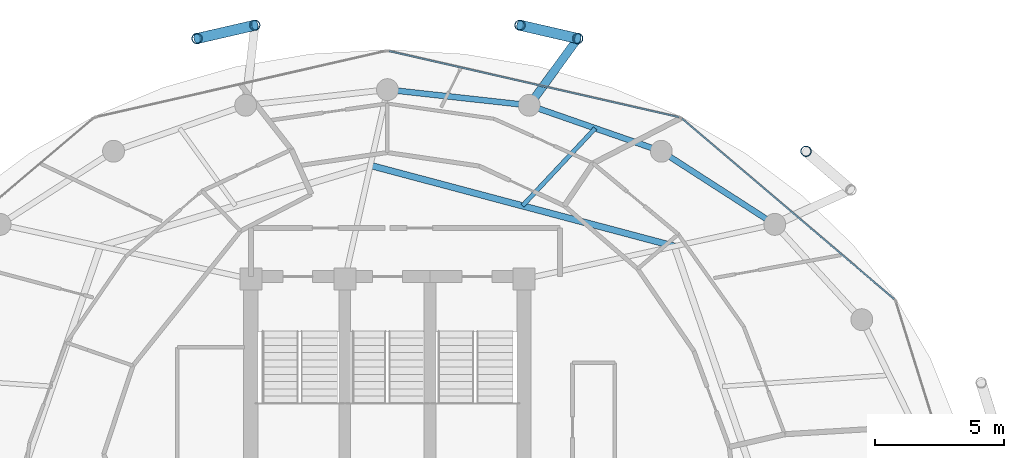
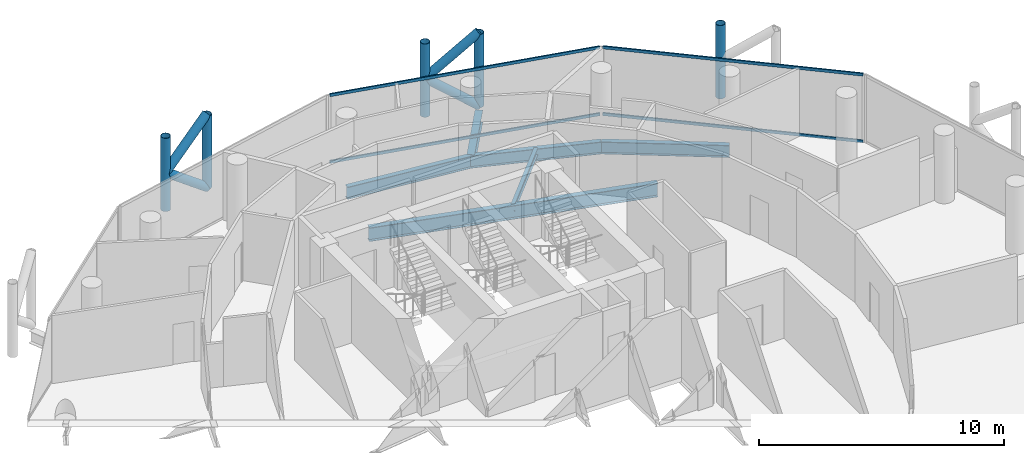
# One storey, part 20 of 27: 13 members, 6 beams, 2 elements without a shape of their own.
"""IFC4 building model written with IfcOpenShell, lengths in metres."""

import ifcopenshell
import ifcopenshell.guid

model = None  # the IFC model being written
_history = None  # IfcOwnerHistory: only IFC2X3 demands one
_inside = {}  # id of a spatial element -> (the spatial element, [elements in it])
_under = {}  # id of a project, library or spatial element -> (it, [spatial elements below it])
_declared = {}  # id of a project -> (the project, [libraries it declares])
_typed = {}  # id of a type object -> (the type object, [elements of that type])
_made_of = {}  # id of a material, layer set ... -> (it, [elements and type objects made of it])


def new_model(schema):
    """Start an empty IFC model of exactly this schema.

    Asked for "IFC4X3", IfcOpenShell would pick the latest addendum, in which some entities
    have other attributes; the version numbers below select the first issue.
    IFC2X3 requires an IfcOwnerHistory on every rooted entity: one is made here for all.
    """
    global model, _history
    if schema == "IFC4X3":
        model = ifcopenshell.file(schema_version=(4, 3, 0, 0))
    else:
        model = ifcopenshell.file(schema=schema)
    _inside.clear()
    _under.clear()
    _declared.clear()
    _typed.clear()
    _made_of.clear()
    _history = None
    if model.schema == "IFC2X3":
        org = make("IfcOrganization", Name="unknown")
        user = make(
            "IfcPersonAndOrganization",
            ThePerson=make("IfcPerson", FamilyName="unknown"),
            TheOrganization=org,
        )
        app = make(
            "IfcApplication",
            ApplicationDeveloper=org,
            Version="unknown",
            ApplicationFullName="unknown",
            ApplicationIdentifier="unknown",
        )
        _history = make(
            "IfcOwnerHistory",
            OwningUser=user,
            OwningApplication=app,
            ChangeAction="ADDED",
            CreationDate=0,
        )
    return model


def make(cls, **values):
    """One entity of the class cls with the attributes given. An attribute that is None is left unset."""
    return model.create_entity(
        cls, **{name: value for name, value in values.items() if value is not None}
    )


def rooted(cls, **values):
    """An entity with a GlobalId (a new one), such as an element, a storey or a relation."""
    return make(cls, GlobalId=ifcopenshell.guid.new(), OwnerHistory=_history, **values)


def si_unit(unit_type, name, prefix=None):
    """IfcSIUnit, for example si_unit("LENGTHUNIT", "METRE", prefix="MILLI")."""
    return make("IfcSIUnit", UnitType=unit_type, Prefix=prefix, Name=name)


def assignment(units):
    """IfcUnitAssignment: the units of a project."""
    return None if units is None else make("IfcUnitAssignment", Units=units)


def point(xyz):
    """IfcCartesianPoint."""
    return None if xyz is None else make("IfcCartesianPoint", Coordinates=xyz)


def direction(xyz):
    """IfcDirection."""
    return None if xyz is None else make("IfcDirection", DirectionRatios=xyz)


def frame(location, z_axis=None, x_axis=None):
    """IfcAxis2Placement3D, a coordinate frame: its origin and axes. An axis left out is left unset."""
    return make(
        "IfcAxis2Placement3D",
        Location=point(location),
        Axis=direction(z_axis),
        RefDirection=direction(x_axis),
    )


def frame_2d(location, x_axis=None):
    """IfcAxis2Placement2D, a coordinate frame in the plane: its origin and x axis."""
    return make(
        "IfcAxis2Placement2D", Location=point(location), RefDirection=direction(x_axis)
    )


def origin():
    """The frame at (0, 0, 0) with its axes left unset."""
    return frame((0.0, 0.0, 0.0))


def origin_2d():
    """The frame at (0, 0) in the plane with its x axis left unset."""
    return frame_2d((0.0, 0.0))


def place(relative_to, where):
    """IfcLocalPlacement: puts the frame where relative to a parent placement (None: the world)."""
    return make(
        "IfcLocalPlacement", PlacementRelTo=relative_to, RelativePlacement=where
    )


def context(
    kind, dimensions, precision=None, world=None, true_north=None, identifier=None
):
    """IfcGeometricRepresentationContext, for example the 3D "Model" context."""
    return make(
        "IfcGeometricRepresentationContext",
        ContextIdentifier=identifier,
        ContextType=kind,
        CoordinateSpaceDimension=dimensions,
        Precision=precision,
        WorldCoordinateSystem=world,
        TrueNorth=true_north,
    )


def subcontext(parent, identifier, kind, view, scale=None):
    """IfcGeometricRepresentationSubContext, for example "Body" below "Model"."""
    return make(
        "IfcGeometricRepresentationSubContext",
        ContextIdentifier=identifier,
        ContextType=kind,
        ParentContext=parent,
        TargetScale=scale,
        TargetView=view,
    )


def project(units=None, contexts=None):
    """IfcProject with its units and contexts."""
    return rooted(
        "IfcProject",
        Name="project",
        RepresentationContexts=contexts,
        UnitsInContext=assignment(units),
    )


def spatial(cls, under=None, at=None, **own):
    """A site, building, storey or space (cls), placed at a placement, below another one or the project."""
    s = rooted(cls, ObjectPlacement=at, **own)
    if under is not None:
        _under.setdefault(under.id(), (under, []))[1].append(s)
    return s


def profile(cls, at=None, kind="AREA", **sizes):
    """A parametric profile (cls). Its sizes go by their IFC names, for example OverallWidth=200.0."""
    return make(cls, ProfileType=kind, Position=at, **sizes)


def hollow_rectangle(**sizes):
    """IfcRectangleHollowProfileDef."""
    return profile("IfcRectangleHollowProfileDef", **sizes)


def hollow_circle(**sizes):
    """IfcCircleHollowProfileDef."""
    return profile("IfcCircleHollowProfileDef", **sizes)


def i_section(**sizes):
    """IfcIShapeProfileDef."""
    return profile("IfcIShapeProfileDef", **sizes)


def extrude(swept, where, along, depth):
    """IfcExtrudedAreaSolid: the profile swept, set in the frame where, extruded along a direction by depth."""
    return make(
        "IfcExtrudedAreaSolid",
        SweptArea=swept,
        Position=where,
        ExtrudedDirection=direction(along),
        Depth=depth,
    )


def shape(context_of_items, identifier, shape_type, items):
    """IfcShapeRepresentation: the items that make up one representation, for example the "Body"."""
    return make(
        "IfcShapeRepresentation",
        ContextOfItems=context_of_items,
        RepresentationIdentifier=identifier,
        RepresentationType=shape_type,
        Items=items,
    )


def material(Name=None, Category=None):
    """IfcMaterial."""
    return make("IfcMaterial", Name=Name, Category=Category)


def layer(
    of_material, thickness, ventilated=None, Name=None, Category=None, Priority=None
):
    """IfcMaterialLayer: one layer of a wall or slab, of a material (None: an air gap)."""
    return make(
        "IfcMaterialLayer",
        Material=of_material,
        LayerThickness=thickness,
        IsVentilated=ventilated,
        Name=Name,
        Category=Category,
        Priority=Priority,
    )


def layer_set(layers, Name=None):
    """IfcMaterialLayerSet."""
    return make("IfcMaterialLayerSet", MaterialLayers=layers, LayerSetName=Name)


def material_profile(
    of_material, cross_section, Name=None, Category=None, Priority=None
):
    """IfcMaterialProfile: a cross section and its material."""
    return make(
        "IfcMaterialProfile",
        Name=Name,
        Material=of_material,
        Profile=cross_section,
        Priority=Priority,
        Category=Category,
    )


def profile_set(profiles, Name=None, composite=None):
    """IfcMaterialProfileSet."""
    return make(
        "IfcMaterialProfileSet",
        Name=Name,
        MaterialProfiles=profiles,
        CompositeProfile=composite,
    )


def made_of(thing, what):
    """Note that an element or type object is made of a material, layer set ...; save() writes the relation."""
    if what is not None:
        _made_of.setdefault(what.id(), (what, []))[1].append(thing)
    return thing


def type_object(cls, material=None, **own):
    """A type object (cls), such as IfcWallType, which elements share."""
    return made_of(rooted(cls, **own), material)


def element(
    cls,
    number,
    at=None,
    inside=None,
    cuts=None,
    type_object=None,
    material=None,
    context=None,
    identifier="Body",
    shape_type=None,
    held_by="IfcProductDefinitionShape",
    body=None,
    shapes=None,
    **own,
):
    """One element of the class cls, such as IfcWall. Its Tag is "e" and its number.

    at: its placement. inside: the storey or other place that contains it. cuts: it is an
    opening in that element (IfcRelVoidsElement). A single representation is given by context,
    identifier, shape_type and body (its items); several are given by shapes. held_by: the class
    of the entity that holds the representations. save() writes the other relations.
    """
    e = rooted(cls, Tag="e%d" % number, ObjectPlacement=at, **own)
    if body is not None:
        shapes = [shape(context, identifier, shape_type, body)]
    if shapes is not None:
        e.Representation = make(held_by, Representations=shapes)
    if inside is not None:
        _inside.setdefault(inside.id(), (inside, []))[1].append(e)
    if cuts is not None:
        rooted(
            "IfcRelVoidsElement", RelatingBuildingElement=cuts, RelatedOpeningElement=e
        )
    if type_object is not None:
        _typed.setdefault(type_object.id(), (type_object, []))[1].append(e)
    return made_of(e, material)


def aggregate(whole, parts):
    """IfcRelAggregates: a whole, such as a stair, and the parts it consists of."""
    return rooted("IfcRelAggregates", RelatingObject=whole, RelatedObjects=parts)


def save(model, path):
    """Write the relations noted so far, then the file.

    IfcRelAggregates (storeys below a building ...), IfcRelContainedInSpatialStructure (elements
    in a storey), IfcRelDefinesByType, IfcRelAssociatesMaterial and IfcRelDeclares: one each for
    every whole, place, type object, material and project.
    """
    for whole, parts in _under.values():
        aggregate(whole, parts)
    for where, things in _inside.values():
        rooted(
            "IfcRelContainedInSpatialStructure",
            RelatedElements=things,
            RelatingStructure=where,
        )
    for kind, things in _typed.values():
        rooted("IfcRelDefinesByType", RelatedObjects=things, RelatingType=kind)
    for what, things in _made_of.values():
        rooted("IfcRelAssociatesMaterial", RelatedObjects=things, RelatingMaterial=what)
    for by, libraries in _declared.values():
        rooted("IfcRelDeclares", RelatingContext=by, RelatedDefinitions=libraries)
    model.write(path)


model = new_model("IFC4")

# Units and contexts
model_context = context("Model", 3, precision=1e-05, world=origin(), true_north=direction((0.0, 1.0)))
body_context = subcontext(model_context, "Body", "Model", "MODEL_VIEW")
ifc_project = project(units=[si_unit("LENGTHUNIT", "METRE"), si_unit("AREAUNIT", "SQUARE_METRE"), si_unit("VOLUMEUNIT", "CUBIC_METRE"), si_unit("PLANEANGLEUNIT", "RADIAN"), si_unit("MASSUNIT", "GRAM", prefix="KILO")], contexts=[model_context])

# Site, building, storey
site_placement = place(None, origin())
site = spatial("IfcSite", under=ifc_project, at=site_placement, CompositionType="ELEMENT")
building_placement = place(site_placement, origin())
building = spatial("IfcBuilding", under=site, at=building_placement, Name="Nuhasar Tower", CompositionType="ELEMENT")
storey_placement = place(building_placement, frame((0.0, 0.0, 251.949951171875)))
storey = spatial("IfcBuildingStorey", under=building, at=storey_placement, Name="L62", CompositionType="ELEMENT", Elevation=251.949951171875)

# Beams
ifc_material_1 = material(Name="Steel S355", Category="steel")
ifc_material_profile_1 = material_profile(ifc_material_1, i_section(OverallWidth=0.25390625, OverallDepth=0.68408203125, WebThickness=0.012451171875, FlangeThickness=0.018798828125, at=origin_2d()), Name="W27X94")
ifc_profile_set_1 = profile_set([ifc_material_profile_1], Name="Steel S355")
beam_type_1 = type_object("IfcBeamType", Name="BM-INRING-W27X94", PredefinedType="BEAM", material=ifc_profile_set_1)
beam_1_placement = place(storey_placement, frame((50.135986328125, 38.572998046875, -0.58203125), z_axis=(-0.966410333243, 0.257004022929, 0.0), x_axis=(-0.257004022929, -0.966410333243, 0.0)))
element("IfcBeam", 1, at=beam_1_placement, inside=storey, type_object=beam_type_1, Name="L62 Inner Header Beam 05", PredefinedType="BEAM", context=body_context, shape_type="SweptSolid", body=[
    extrude(i_section(OverallWidth=0.25390625, OverallDepth=0.68408203125, WebThickness=0.012451171875, FlangeThickness=0.018798828125, at=origin_2d()), origin(), (0.0, 0.0, 1.0), 12.205810546875),
])
ifc_material_profile_2 = material_profile(ifc_material_1, i_section(OverallWidth=0.1708984375, OverallDepth=0.35205078125, WebThickness=0.0068359375, FlangeThickness=0.009765625, at=origin_2d()), Name="W14X30")
ifc_profile_set_2 = profile_set([ifc_material_profile_2], Name="Steel S355")
beam_type_2 = type_object("IfcBeamType", Name="BM-JST-W14X30", PredefinedType="JOIST", material=ifc_profile_set_2)
beam_2_placement = place(storey_placement, frame((44.238037109375, 40.14208984375, -0.416015625), z_axis=(0.684358245116, 0.729145933501, 0.0), x_axis=(-0.729145933501, 0.684358245116, 0.0)))
element("IfcBeam", 2, at=beam_2_placement, inside=storey, type_object=beam_type_2, Name="L62 Secondary Floor Joist 05", PredefinedType="JOIST", context=body_context, shape_type="SweptSolid", body=[
    extrude(i_section(OverallWidth=0.1708984375, OverallDepth=0.35205078125, WebThickness=0.0068359375, FlangeThickness=0.009765625, at=origin_2d()), origin(), (0.0, 0.0, 1.0), 4.12646484375),
])
ifc_material_profile_3 = material_profile(ifc_material_1, i_section(OverallWidth=0.22802734375, OverallDepth=0.60791015625, WebThickness=0.01123046875, FlangeThickness=0.017333984375, at=origin_2d()), Name="W24X76")
ifc_profile_set_3 = profile_set([ifc_material_profile_3], Name="Steel S355")
beam_type_3 = type_object("IfcBeamType", Name="BM-RING-W24X76", PredefinedType="SPANDREL", material=ifc_profile_set_3)
beam_3_placement = place(storey_placement, frame((54.02587890625, 39.422119140625, -0.5439453125), z_axis=(-0.840502144969, 0.541808217272, 0.0), x_axis=(-0.541808217272, -0.840502144969, 0.0)))
element("IfcBeam", 3, at=beam_3_placement, inside=storey, type_object=beam_type_3, Name="L62 Perimeter Ring Spandrel 04", PredefinedType="SPANDREL", context=body_context, shape_type="SweptSolid", body=[
    extrude(i_section(OverallWidth=0.22802734375, OverallDepth=0.60791015625, WebThickness=0.01123046875, FlangeThickness=0.017333984375, at=origin_2d()), origin(), (0.0, 0.0, 1.0), 5.236083984375),
])
beam_4_placement = place(storey_placement, frame((49.625, 42.259033203125, -0.5439453125), z_axis=(-0.944476764686, 0.328578211342, 0.0), x_axis=(-0.328578211342, -0.944476764686, 0.0)))
element("IfcBeam", 4, at=beam_4_placement, inside=storey, type_object=beam_type_3, Name="L62 Perimeter Ring Spandrel 05", PredefinedType="SPANDREL", context=body_context, shape_type="SweptSolid", body=[
    extrude(i_section(OverallWidth=0.22802734375, OverallDepth=0.60791015625, WebThickness=0.01123046875, FlangeThickness=0.017333984375, at=origin_2d()), origin(), (0.0, 0.0, 1.0), 5.42626953125),
])
beam_5_placement = place(storey_placement, frame((44.5, 44.0419921875, -0.5439453125), z_axis=(-0.993947060915, 0.109860093292, 0.0), x_axis=(-0.109860093292, -0.993947060915, 0.0)))
element("IfcBeam", 5, at=beam_5_placement, inside=storey, type_object=beam_type_3, Name="L62 Perimeter Ring Spandrel 06", PredefinedType="SPANDREL", context=body_context, shape_type="SweptSolid", body=[
    extrude(i_section(OverallWidth=0.22802734375, OverallDepth=0.60791015625, WebThickness=0.01123046875, FlangeThickness=0.017333984375, at=origin_2d()), origin(), (0.0, 0.0, 1.0), 5.533447265625),
])
ifc_material_profile_4 = material_profile(ifc_material_1, i_section(OverallWidth=0.323974609375, OverallDepth=0.611083984375, WebThickness=0.0126953125, FlangeThickness=0.01904296875, at=origin_2d()), Name="W24X104")
ifc_profile_set_4 = profile_set([ifc_material_profile_4], Name="Steel S355")
beam_type_4 = type_object("IfcBeamType", Name="BM-TIE-W24X104", PredefinedType="BEAM", material=ifc_profile_set_4)
beam_6_placement = place(storey_placement, frame((44.5, 44.0419921875, -0.544921875), z_axis=(0.588094663461, 0.808792103577, 0.0), x_axis=(-0.808792103577, 0.588094663461, 0.0)))
element("IfcBeam", 6, at=beam_6_placement, inside=storey, type_object=beam_type_4, Name="L62 Exoskeleton Node Tie Beam 03", PredefinedType="BEAM", context=body_context, shape_type="SweptSolid", body=[
    extrude(i_section(OverallWidth=0.323974609375, OverallDepth=0.611083984375, WebThickness=0.0126953125, FlangeThickness=0.01904296875, at=origin_2d()), origin(), (0.0, 0.0, 1.0), 3.20361328125),
])

# Curtain wall, members
ifc_material_2 = material(Name="Aluminium 6063-T6", Category="aluminium")
ifc_layer = layer(ifc_material_2, 0.18994140625)
ifc_layer_set = layer_set([ifc_layer], Name="Aluminium 6063-T6")
curtain_wall_type = type_object("IfcCurtainWallType", Name="CW-Z3-RES", PredefinedType="NOTDEFINED", material=ifc_layer_set)
curtain_wall_1_placement = place(storey_placement, origin())
curtain_wall_1 = element("IfcCurtainWall", 7, at=curtain_wall_1_placement, inside=storey, type_object=curtain_wall_type, Name="L62 Unitised Curtain Wall 02", PredefinedType="NOTDEFINED")
ifc_material_profile_5 = material_profile(ifc_material_2, hollow_rectangle(XDim=0.06494140625, YDim=0.139892578125, WallThickness=0.00439453125, at=origin_2d()), Name="CWT-4")
ifc_profile_set_5 = profile_set([ifc_material_profile_5], Name="Aluminium 6063-T6")
member_type_1 = type_object("IfcMemberType", Name="CW-TRN-S4", PredefinedType="USERDEFINED", material=ifc_profile_set_5)
member_1_placement = place(storey_placement, frame((58.661376953125, 36.522216796875, 0.032470703125), z_axis=(-0.761730809511, 0.647893643928, 0.0), x_axis=(-0.647893643928, -0.761730809511, 0.0)))
member_1 = element("IfcMember", 8, at=member_1_placement, type_object=member_type_1, Name="CW-Z3 transom 1.1", ObjectType="TRANSOM", PredefinedType="USERDEFINED", context=body_context, shape_type="SweptSolid", body=[
    extrude(hollow_rectangle(XDim=0.06494140625, YDim=0.139892578125, WallThickness=0.00439453125, at=origin_2d()), origin(), (0.0, 0.0, 1.0), 10.806884765625),
])
member_2_placement = place(storey_placement, frame((58.661376953125, 36.522216796875, 3.357666015625), z_axis=(-0.761730809511, 0.647893643928, 0.0), x_axis=(-0.647893643928, -0.761730809511, 0.0)))
member_2 = element("IfcMember", 9, at=member_2_placement, type_object=member_type_1, Name="CW-Z3 transom 1.2", ObjectType="TRANSOM", PredefinedType="USERDEFINED", context=body_context, shape_type="SweptSolid", body=[
    extrude(hollow_rectangle(XDim=0.06494140625, YDim=0.139892578125, WallThickness=0.00439453125, at=origin_2d()), origin(), (0.0, 0.0, 1.0), 10.806884765625),
])
aggregate(curtain_wall_1, [member_1, member_2])

curtain_wall_2_placement = place(storey_placement, origin())
curtain_wall_2 = element("IfcCurtainWall", 10, at=curtain_wall_2_placement, inside=storey, type_object=curtain_wall_type, Name="L62 Unitised Curtain Wall 03", PredefinedType="NOTDEFINED")
member_3_placement = place(storey_placement, frame((50.316650390625, 43.58056640625, 0.032470703125), z_axis=(-0.974994070913, 0.222230874732, 0.0), x_axis=(-0.222230874732, -0.974994070913, 0.0)))
member_3 = element("IfcMember", 11, at=member_3_placement, type_object=member_type_1, Name="CW-Z3 transom 1.1", ObjectType="TRANSOM", PredefinedType="USERDEFINED", context=body_context, shape_type="SweptSolid", body=[
    extrude(hollow_rectangle(XDim=0.06494140625, YDim=0.139892578125, WallThickness=0.00439453125, at=origin_2d()), origin(), (0.0, 0.0, 1.0), 11.541748046875),
])
member_4_placement = place(storey_placement, frame((50.316650390625, 43.58056640625, 3.357666015625), z_axis=(-0.974994070913, 0.222230874732, 0.0), x_axis=(-0.222230874732, -0.974994070913, 0.0)))
member_4 = element("IfcMember", 12, at=member_4_placement, type_object=member_type_1, Name="CW-Z3 transom 1.2", ObjectType="TRANSOM", PredefinedType="USERDEFINED", context=body_context, shape_type="SweptSolid", body=[
    extrude(hollow_rectangle(XDim=0.06494140625, YDim=0.139892578125, WallThickness=0.00439453125, at=origin_2d()), origin(), (0.0, 0.0, 1.0), 11.541748046875),
])
aggregate(curtain_wall_2, [member_3, member_4])

# Members
ifc_material_3 = material(Name="Steel S460", Category="steel")
ifc_material_profile_6 = material_profile(ifc_material_3, hollow_circle(Radius=0.203125, WallThickness=0.01904296875, at=origin_2d()), Name="HSS406.4X19.1")
ifc_profile_set_6 = profile_set([ifc_material_profile_6], Name="Steel S460")
member_type_2 = type_object("IfcMemberType", Name="EXO-BRONZE-406", PredefinedType="BRACE", material=ifc_profile_set_6)
for number, where, z_axis, x_axis, name in (
    (13, (55.239990234375, 42.257080078125, 0.0), (0.0, 0.0, 1.0), (1.0, 0.0, 0.0), "L62 Exoskeleton Chord Column EC-02B"),
    (14, (46.384033203125, 46.633056640625, 0.0), (0.0, 0.0, 1.0), (1.0, 0.0, 0.0), "L62 Exoskeleton Chord Column EC-03A"),
    (15, (44.14306640625, 47.14892578125, 0.0), (0.0, 0.0, 1.0), (1.0, 0.0, 0.0), "L62 Exoskeleton Chord Column EC-03B"),
    (16, (33.85693359375, 47.14892578125, 0.0), (0.0, 0.0, 1.0), (1.0, 0.0, 0.0), "L62 Exoskeleton Chord Column EC-04A"),
    (17, (31.615966796875, 46.633056640625, 0.0), (0.0, 0.0, 1.0), (1.0, 0.0, 0.0), "L62 Exoskeleton Chord Column EC-04B"),
):
    element("IfcMember", number, at=place(storey_placement, frame(where, z_axis=z_axis, x_axis=x_axis)), inside=storey, type_object=member_type_2, Name=name, PredefinedType="BRACE", context=body_context, shape_type="SweptSolid", body=[
        extrude(hollow_circle(Radius=0.203125, WallThickness=0.01904296875, at=origin_2d()), origin(), (0.0, 0.0, 1.0), 3.650146484375),
    ])
for number, where, z_axis, x_axis, name in (
    (18, (46.384033203125, 46.633056640625, 0.0), (-0.763342741922, 0.175721016852, 0.621634927101), (-0.224332214284, -0.974512728308, 0.0), "L62 Bronze Diagrid Brace W1-03"),
    (19, (44.14306640625, 47.14892578125, 1.824951171875), (0.763303280332, -0.175711932819, 0.621685948771), (0.224332214284, 0.974512728308, 0.0), "L62 Bronze Diagrid Brace W2-03"),
    (20, (33.85693359375, 47.14892578125, 0.0), (-0.763342741922, -0.175721016852, 0.621634927101), (0.224332214284, -0.974512728308, 0.0), "L62 Bronze Diagrid Brace W1-04"),
    (21, (31.615966796875, 46.633056640625, 1.824951171875), (0.763303280332, 0.175711932819, 0.621685948771), (-0.224332214284, 0.974512728308, 0.0), "L62 Bronze Diagrid Brace W2-04"),
):
    element("IfcMember", number, at=place(storey_placement, frame(where, z_axis=z_axis, x_axis=x_axis)), inside=storey, type_object=member_type_2, Name=name, PredefinedType="BRACE", context=body_context, shape_type="SweptSolid", body=[
        extrude(hollow_circle(Radius=0.203125, WallThickness=0.01904296875, at=origin_2d()), origin(), (0.0, 0.0, 1.0), 2.935791015625),
    ])

save(model, "model.ifc")
